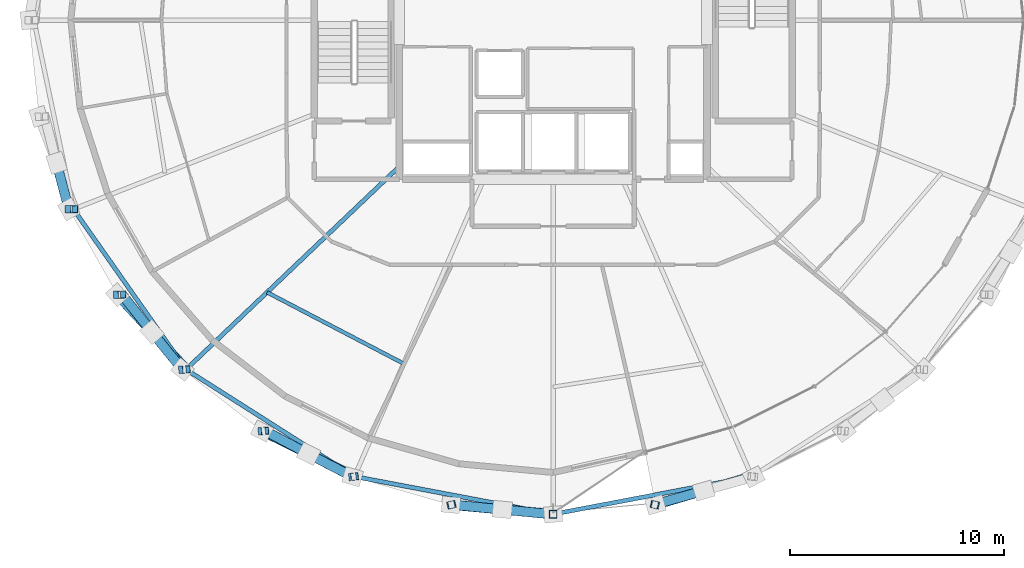
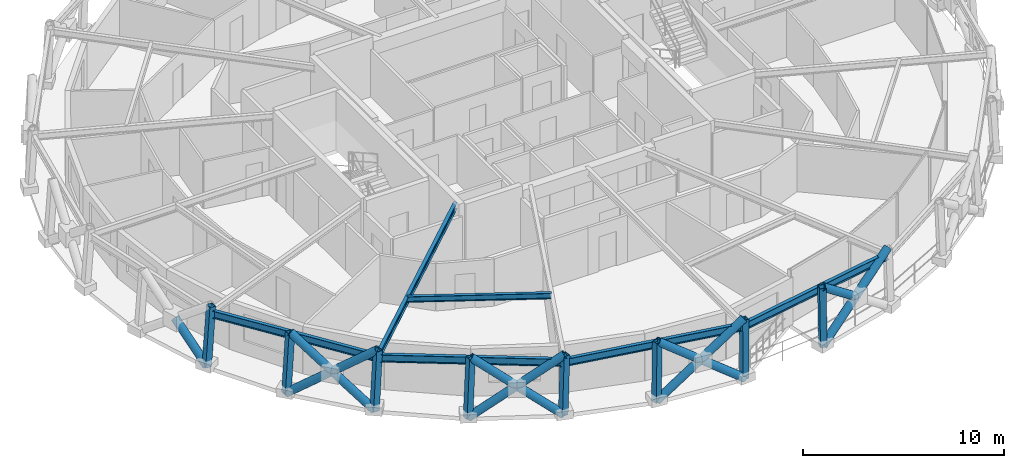
# One storey, part 1 of 17: 20 members, 6 beams.
"""IFC4 building model written with IfcOpenShell, lengths in metres."""

from ifc_helpers import new_model, si_unit, direction, frame, origin, origin_2d, place, context, subcontext, project, spatial, hollow_rectangle, hollow_circle, i_section, extrude, material, material_profile, profile_set, type_object, element, save


model = new_model("IFC4")

# Units and contexts
model_context = context("Model", 3, precision=1e-05, world=origin(), true_north=direction((0.0, 1.0)))
body_context = subcontext(model_context, "Body", "Model", "MODEL_VIEW")
ifc_project = project(units=[si_unit("LENGTHUNIT", "METRE"), si_unit("AREAUNIT", "SQUARE_METRE"), si_unit("VOLUMEUNIT", "CUBIC_METRE"), si_unit("PLANEANGLEUNIT", "RADIAN"), si_unit("MASSUNIT", "GRAM", prefix="KILO")], contexts=[model_context])

# Site, building, storey
site_placement = place(None, origin())
site = spatial("IfcSite", under=ifc_project, at=site_placement, CompositionType="ELEMENT")
building_placement = place(site_placement, origin())
building = spatial("IfcBuilding", under=site, at=building_placement, Name="Veldorina Hangang Commons", CompositionType="ELEMENT")
storey_placement = place(building_placement, frame((0.0, 0.0, 229.199951171875)))
storey = spatial("IfcBuildingStorey", under=building, at=storey_placement, Name="L59", CompositionType="ELEMENT", Elevation=229.199951171875)

# Beams
ifc_material = material(Name="Steel SM355-TMC", Category="steel")
ifc_material_profile_1 = material_profile(ifc_material, i_section(OverallWidth=0.199951171875, OverallDepth=0.39990234375, WebThickness=0.008056640625, FlangeThickness=0.012939453125, FilletRadius=0.012939453125, at=origin_2d()), Name="H-400x200x8x13")
ifc_profile_set_1 = profile_set([ifc_material_profile_1], Name="Steel SM355-TMC")
beam_type_1 = type_object("IfcBeamType", Name="BM-FG400", PredefinedType="BEAM", material=ifc_profile_set_1)
beam_1_placement = place(storey_placement, frame((24.800048828125, 17.14990234375, 3.16015625), z_axis=(-0.724490081705, -0.689285225078, 0.0), x_axis=(0.689285225078, -0.724490081705, 0.0)))
element("IfcBeam", 1, at=beam_1_placement, inside=storey, type_object=beam_type_1, Name="L59 radial floor girder 11", PredefinedType="BEAM", context=body_context, shape_type="SweptSolid", body=[
    extrude(i_section(OverallWidth=0.199951171875, OverallDepth=0.39990234375, WebThickness=0.008056640625, FlangeThickness=0.012939453125, FilletRadius=0.012939453125, at=origin_2d()), origin(), (0.0, 0.0, 1.0), 13.779541015625),
])
ifc_material_profile_2 = material_profile(ifc_material, i_section(OverallWidth=0.175048828125, OverallDepth=0.35009765625, WebThickness=0.007080078125, FlangeThickness=0.010986328125, FilletRadius=0.012939453125, at=origin_2d()), Name="H-350x175x7x11")
ifc_profile_set_2 = profile_set([ifc_material_profile_2], Name="Steel SM355-TMC")
beam_type_2 = type_object("IfcBeamType", Name="BM-JST350", PredefinedType="JOIST", material=ifc_profile_set_2)
beam_2_placement = place(storey_placement, frame((18.610595703125, 11.260986328125, 3.18505859375), z_axis=(0.886544384719, -0.462643549532, 0.0), x_axis=(0.462643549532, 0.886544384719, 0.0)))
element("IfcBeam", 2, at=beam_2_placement, inside=storey, type_object=beam_type_2, Name="L59 secondary floor joist 11", PredefinedType="JOIST", context=body_context, shape_type="SweptSolid", body=[
    extrude(i_section(OverallWidth=0.175048828125, OverallDepth=0.35009765625, WebThickness=0.007080078125, FlangeThickness=0.010986328125, FilletRadius=0.012939453125, at=origin_2d()), origin(), (0.0, 0.0, 1.0), 7.208984375),
])
ifc_material_profile_3 = material_profile(ifc_material, i_section(OverallWidth=0.199951171875, OverallDepth=0.449951171875, WebThickness=0.009033203125, FlangeThickness=0.013916015625, FilletRadius=0.01611328125, at=origin_2d()), Name="H-450x200x9x14")
ifc_profile_set_3 = profile_set([ifc_material_profile_3], Name="Steel SM355-TMC")
beam_type_3 = type_object("IfcBeamType", Name="BM-RB450", PredefinedType="BEAM", material=ifc_profile_set_3)
beam_3_placement = place(storey_placement, frame((9.54931640625, 15.15234375, 3.135009765625), z_axis=(0.574723801325, -0.818347451998, 0.0), x_axis=(0.818347451998, 0.574723801325, 0.0)))
element("IfcBeam", 3, at=beam_3_placement, inside=storey, type_object=beam_type_3, Name="L59 perimeter hoop ring beam 18", PredefinedType="BEAM", context=body_context, shape_type="SweptSolid", body=[
    extrude(i_section(OverallWidth=0.199951171875, OverallDepth=0.449951171875, WebThickness=0.009033203125, FlangeThickness=0.013916015625, FilletRadius=0.01611328125, at=origin_2d()), origin(), (0.0, 0.0, 1.0), 9.16552734375),
])
beam_4_placement = place(storey_placement, frame((14.81689453125, 7.65185546875, 3.135009765625), z_axis=(0.843907831435, -0.536488184439, 0.0), x_axis=(0.536488184439, 0.843907831435, 0.0)))
element("IfcBeam", 4, at=beam_4_placement, inside=storey, type_object=beam_type_3, Name="L59 perimeter hoop ring beam 20", PredefinedType="BEAM", context=body_context, shape_type="SweptSolid", body=[
    extrude(i_section(OverallWidth=0.199951171875, OverallDepth=0.449951171875, WebThickness=0.009033203125, FlangeThickness=0.013916015625, FilletRadius=0.01611328125, at=origin_2d()), origin(), (0.0, 0.0, 1.0), 9.341796875),
])
for number, where, z_axis, x_axis, name in (
    (5, (22.700439453125, 2.64013671875, 3.135009765625), (0.982558019135, -0.185956282585, 0.0), (0.185956282585, 0.982558019135, 0.0), "L59 perimeter hoop ring beam 22"),
    (6, (32.0, 0.880126953125, 3.135009765625), (0.982558019135, 0.185956282585, 0.0), (-0.185956282585, 0.982558019135, 0.0), "L59 perimeter hoop ring beam 24"),
):
    element("IfcBeam", number, at=place(storey_placement, frame(where, z_axis=z_axis, x_axis=x_axis)), inside=storey, type_object=beam_type_3, Name=name, PredefinedType="BEAM", context=body_context, shape_type="SweptSolid", body=[
        extrude(i_section(OverallWidth=0.199951171875, OverallDepth=0.449951171875, WebThickness=0.009033203125, FlangeThickness=0.013916015625, FilletRadius=0.01611328125, at=origin_2d()), origin(), (0.0, 0.0, 1.0), 9.464599609375),
    ])

# Members
ifc_material_profile_4 = material_profile(ifc_material, hollow_circle(Radius=0.22509765625, WallThickness=0.02197265625, at=origin_2d()), Name="CHS-450x22")
ifc_profile_set_4 = profile_set([ifc_material_profile_4], Name="Steel SM355-TMC")
member_type_1 = type_object("IfcMemberType", Name="DG-CHS450", PredefinedType="BRACE", material=ifc_profile_set_4)
member_1_placement = place(storey_placement, frame((9.33349609375, 15.1484375, 0.0), z_axis=(-0.199263230234, 0.754044637525, 0.625868076911), x_axis=(-0.966811974223, -0.255488955726, 0.0)))
element("IfcMember", 7, at=member_1_placement, inside=storey, type_object=member_type_1, Name="L59 split perimeter diagrid lower brace 18", PredefinedType="BRACE", context=body_context, shape_type="SweptSolid", body=[
    extrude(hollow_circle(Radius=0.22509765625, WallThickness=0.02197265625, at=origin_2d()), origin(), (0.0, 0.0, 1.0), 2.8779296875),
])
member_2_placement = place(storey_placement, frame((11.6005859375, 11.1494140625, 0.0), z_axis=(0.542481114092, -0.585269853467, 0.602638730481), x_axis=(0.733407877631, 0.679788853269, 0.0)))
element("IfcMember", 8, at=member_2_placement, inside=storey, type_object=member_type_1, Name="L59 continuous perimeter diagrid brace 19", PredefinedType="BRACE", context=body_context, shape_type="SweptSolid", body=[
    extrude(hollow_circle(Radius=0.22509765625, WallThickness=0.02197265625, at=origin_2d()), origin(), (0.0, 0.0, 1.0), 5.973876953125),
])
member_3_placement = place(storey_placement, frame((14.65185546875, 7.644287109375, 0.0), z_axis=(-0.493349466134, 0.606049934527, 0.623946937748), x_axis=(-0.77552879317, -0.6313121977, 0.0)))
element("IfcMember", 9, at=member_3_placement, inside=storey, type_object=member_type_1, Name="L59 split perimeter diagrid lower brace 20", PredefinedType="BRACE", context=body_context, shape_type="SweptSolid", body=[
    extrude(hollow_circle(Radius=0.22509765625, WallThickness=0.02197265625, at=origin_2d()), origin(), (0.0, 0.0, 1.0), 2.89208984375),
])
member_4_placement = place(storey_placement, frame((13.22509765625, 9.39697265625, 1.804443359375), z_axis=(-0.486977598813, 0.611245528139, 0.623884382385), x_axis=(-0.782127324534, -0.623118646982, 0.0)))
element("IfcMember", 10, at=member_4_placement, inside=storey, type_object=member_type_1, Name="L59 split perimeter diagrid upper brace 20", PredefinedType="BRACE", context=body_context, shape_type="SweptSolid", body=[
    extrude(hollow_circle(Radius=0.22509765625, WallThickness=0.02197265625, at=origin_2d()), origin(), (0.0, 0.0, 1.0), 2.878173828125),
])
member_5_placement = place(storey_placement, frame((18.36962890625, 4.767822265625, 0.0), z_axis=(0.720506646841, -0.352640911956, 0.597088401389), x_axis=(0.439605718611, 0.898190855088, 0.0)))
element("IfcMember", 11, at=member_5_placement, inside=storey, type_object=member_type_1, Name="L59 continuous perimeter diagrid brace 21", PredefinedType="BRACE", context=body_context, shape_type="SweptSolid", body=[
    extrude(hollow_circle(Radius=0.22509765625, WallThickness=0.02197265625, at=origin_2d()), origin(), (0.0, 0.0, 1.0), 6.029541015625),
])
member_6_placement = place(storey_placement, frame((22.611083984375, 2.63037109375, 0.0), z_axis=(-0.700111815899, 0.363540342, 0.61455826817), x_axis=(-0.460835983665, -0.887485321658, 0.0)))
element("IfcMember", 12, at=member_6_placement, inside=storey, type_object=member_type_1, Name="L59 split perimeter diagrid lower brace 22", PredefinedType="BRACE", context=body_context, shape_type="SweptSolid", body=[
    extrude(hollow_circle(Radius=0.22509765625, WallThickness=0.02197265625, at=origin_2d()), origin(), (0.0, 0.0, 1.0), 2.942138671875),
])
member_7_placement = place(storey_placement, frame((20.55126953125, 3.699951171875, 1.80810546875), z_axis=(-0.697010762188, 0.369601551172, 0.614467811009), x_axis=(-0.468477532802, -0.883475410671, 0.0)))
element("IfcMember", 13, at=member_7_placement, inside=storey, type_object=member_type_1, Name="L59 split perimeter diagrid upper brace 22", PredefinedType="BRACE", context=body_context, shape_type="SweptSolid", body=[
    extrude(hollow_circle(Radius=0.22509765625, WallThickness=0.02197265625, at=origin_2d()), origin(), (0.0, 0.0, 1.0), 2.916259765625),
])
member_8_placement = place(storey_placement, frame((27.213623046875, 1.314208984375, 0.0), z_axis=(0.797098109266, -0.072005139072, 0.599541378181), x_axis=(0.089967764574, 0.99594467785, 0.0)))
element("IfcMember", 14, at=member_8_placement, inside=storey, type_object=member_type_1, Name="L59 continuous perimeter diagrid brace 23", PredefinedType="BRACE", context=body_context, shape_type="SweptSolid", body=[
    extrude(hollow_circle(Radius=0.22509765625, WallThickness=0.02197265625, at=origin_2d()), origin(), (0.0, 0.0, 1.0), 6.004638671875),
])
member_9_placement = place(storey_placement, frame((32.0, 0.86962890625, 0.0), z_axis=(-0.793729171858, 0.075717317656, 0.603540296541), x_axis=(-0.094963290672, -0.995480775015, 0.0)))
element("IfcMember", 15, at=member_9_placement, inside=storey, type_object=member_type_1, Name="L59 split perimeter diagrid lower brace 24", PredefinedType="BRACE", context=body_context, shape_type="SweptSolid", body=[
    extrude(hollow_circle(Radius=0.22509765625, WallThickness=0.02197265625, at=origin_2d()), origin(), (0.0, 0.0, 1.0), 2.998779296875),
])
member_10_placement = place(storey_placement, frame((29.619873046875, 1.0966796875, 1.809814453125), z_axis=(-0.793549035747, 0.077288926934, 0.603577956554), x_axis=(-0.096937840562, -0.995290437544, 0.0)))
element("IfcMember", 16, at=member_10_placement, inside=storey, type_object=member_type_1, Name="L59 split perimeter diagrid upper brace 24", PredefinedType="BRACE", context=body_context, shape_type="SweptSolid", body=[
    extrude(hollow_circle(Radius=0.22509765625, WallThickness=0.02197265625, at=origin_2d()), origin(), (0.0, 0.0, 1.0), 2.966064453125),
])
member_11_placement = place(storey_placement, frame((36.786376953125, 1.314208984375, 0.0), z_axis=(0.76091855266, 0.224464986751, 0.608784383784), x_axis=(-0.282938205618, 0.959138140104, 0.0)))
element("IfcMember", 17, at=member_11_placement, inside=storey, type_object=member_type_1, Name="L59 continuous perimeter diagrid brace 25", PredefinedType="BRACE", context=body_context, shape_type="SweptSolid", body=[
    extrude(hollow_circle(Radius=0.22509765625, WallThickness=0.02197265625, at=origin_2d()), origin(), (0.0, 0.0, 1.0), 5.91357421875),
])
member_12_placement = place(storey_placement, frame((39.047607421875, 1.981201171875, 1.809326171875), z_axis=(-0.771688403406, -0.218551406008, 0.597270701592), x_axis=(0.272494492657, -0.962157342367, 0.0)))
element("IfcMember", 18, at=member_12_placement, inside=storey, type_object=member_type_1, Name="L59 split perimeter diagrid upper brace 26", PredefinedType="BRACE", context=body_context, shape_type="SweptSolid", body=[
    extrude(hollow_circle(Radius=0.22509765625, WallThickness=0.02197265625, at=origin_2d()), origin(), (0.0, 0.0, 1.0), 2.998291015625),
])
ifc_material_profile_5 = material_profile(ifc_material, hollow_rectangle(XDim=0.35009765625, YDim=0.35009765625, WallThickness=0.01611328125, at=origin_2d()), Name="SHS-350x350x16")
ifc_profile_set_5 = profile_set([ifc_material_profile_5], Name="Steel SM355-TMC")
member_type_2 = type_object("IfcMemberType", Name="STR-SHS350", PredefinedType="STRUT", material=ifc_profile_set_5)
member_13_placement = place(storey_placement, frame((9.33349609375, 15.1484375, 0.0), z_axis=(0.068669686841, 0.001285442414, 0.997638622822), x_axis=(-0.018715932995, 0.999824841586, 0.0)))
element("IfcMember", 19, at=member_13_placement, inside=storey, type_object=member_type_2, Name="L59 perimeter ring node post 18", PredefinedType="STRUT", context=body_context, shape_type="SweptSolid", body=[
    extrude(hollow_rectangle(XDim=0.35009765625, YDim=0.35009765625, WallThickness=0.01611328125, at=origin_2d()), origin(), (0.0, 0.0, 1.0), 3.608642578125),
])
member_14_placement = place(storey_placement, frame((11.6005859375, 11.1494140625, 0.0), z_axis=(0.061796649646, 0.001895187503, 0.99808696132), x_axis=(-0.030653715011, 0.999530064458, 0.0)))
element("IfcMember", 20, at=member_14_placement, inside=storey, type_object=member_type_2, Name="L59 perimeter ring node post 19", PredefinedType="STRUT", context=body_context, shape_type="SweptSolid", body=[
    extrude(hollow_rectangle(XDim=0.35009765625, YDim=0.35009765625, WallThickness=0.01611328125, at=origin_2d()), origin(), (0.0, 0.0, 1.0), 3.60693359375),
])
member_15_placement = place(storey_placement, frame((14.65185546875, 7.644287109375, 0.0), z_axis=(0.052551568082, 0.002437959344, 0.998615235737), x_axis=(-0.046341910972, 0.998925636515, 0.0)))
element("IfcMember", 21, at=member_15_placement, inside=storey, type_object=member_type_2, Name="L59 perimeter ring node post 20", PredefinedType="STRUT", context=body_context, shape_type="SweptSolid", body=[
    extrude(hollow_rectangle(XDim=0.35009765625, YDim=0.35009765625, WallThickness=0.01611328125, at=origin_2d()), origin(), (0.0, 0.0, 1.0), 3.60498046875),
])
member_16_placement = place(storey_placement, frame((18.36962890625, 4.767822265625, 0.0), z_axis=(0.041331641703, 0.002778028377, 0.999141620569), x_axis=(-0.067061806148, 0.99774882318, 0.0)))
element("IfcMember", 22, at=member_16_placement, inside=storey, type_object=member_type_2, Name="L59 perimeter ring node post 21", PredefinedType="STRUT", context=body_context, shape_type="SweptSolid", body=[
    extrude(hollow_rectangle(XDim=0.35009765625, YDim=0.35009765625, WallThickness=0.01611328125, at=origin_2d()), origin(), (0.0, 0.0, 1.0), 3.603271484375),
])
member_17_placement = place(storey_placement, frame((22.611083984375, 2.63037109375, 0.0), z_axis=(0.028538347922, 0.003118204286, 0.99958783481), x_axis=(-0.108617215763, 0.994083648613, 0.0)))
element("IfcMember", 23, at=member_17_placement, inside=storey, type_object=member_type_2, Name="L59 perimeter ring node post 22", PredefinedType="STRUT", context=body_context, shape_type="SweptSolid", body=[
    extrude(hollow_rectangle(XDim=0.35009765625, YDim=0.35009765625, WallThickness=0.01611328125, at=origin_2d()), origin(), (0.0, 0.0, 1.0), 3.6015625),
])
member_18_placement = place(storey_placement, frame((27.213623046875, 1.314208984375, 0.0), z_axis=(0.01457859842, 0.003254756856, 0.999888429289), x_axis=(-0.217891639283, 0.975972967623, 0.0)))
element("IfcMember", 24, at=member_18_placement, inside=storey, type_object=member_type_2, Name="L59 perimeter ring node post 23", PredefinedType="STRUT", context=body_context, shape_type="SweptSolid", body=[
    extrude(hollow_rectangle(XDim=0.35009765625, YDim=0.35009765625, WallThickness=0.01611328125, at=origin_2d()), origin(), (0.0, 0.0, 1.0), 3.6005859375),
])
member_19_placement = place(storey_placement, frame((32.0, 0.86962890625, 0.0), z_axis=(0.0, 0.003390730542, 0.999994251457), x_axis=(-1.0, 0.0, 0.0)))
element("IfcMember", 25, at=member_19_placement, inside=storey, type_object=member_type_2, Name="L59 perimeter ring node post 24", PredefinedType="STRUT", context=body_context, shape_type="SweptSolid", body=[
    extrude(hollow_rectangle(XDim=0.35009765625, YDim=0.35009765625, WallThickness=0.01611328125, at=origin_2d()), origin(), (0.0, 0.0, 1.0), 3.60009765625),
])
member_20_placement = place(storey_placement, frame((36.786376953125, 1.314208984375, 0.0), z_axis=(-0.01457859842, 0.003254756856, 0.999888429289), x_axis=(-0.217891639283, -0.975972967623, 0.0)))
element("IfcMember", 26, at=member_20_placement, inside=storey, type_object=member_type_2, Name="L59 perimeter ring node post 25", PredefinedType="STRUT", context=body_context, shape_type="SweptSolid", body=[
    extrude(hollow_rectangle(XDim=0.35009765625, YDim=0.35009765625, WallThickness=0.01611328125, at=origin_2d()), origin(), (0.0, 0.0, 1.0), 3.6005859375),
])

save(model, "model.ifc")
